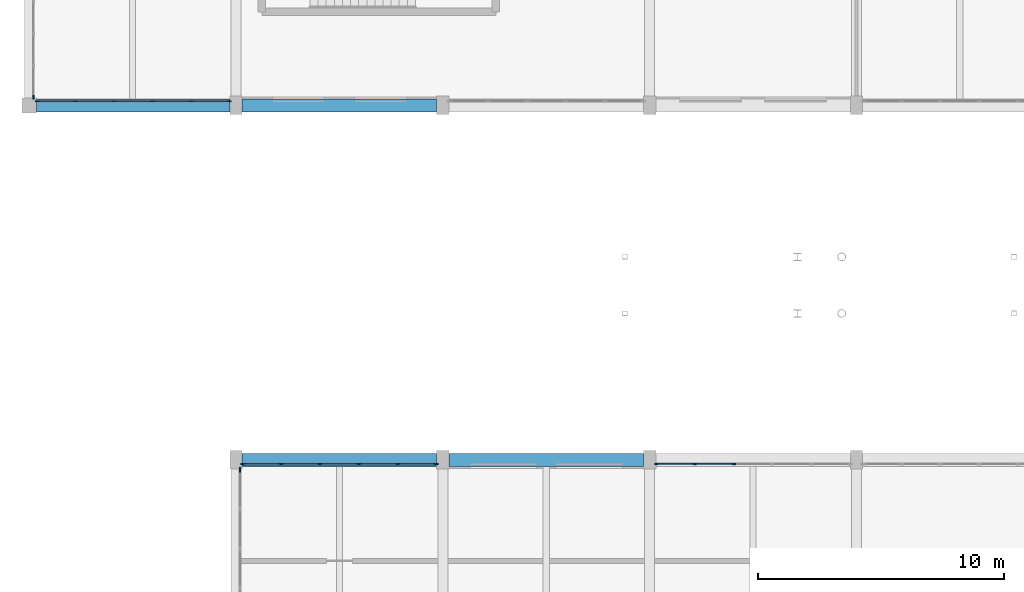
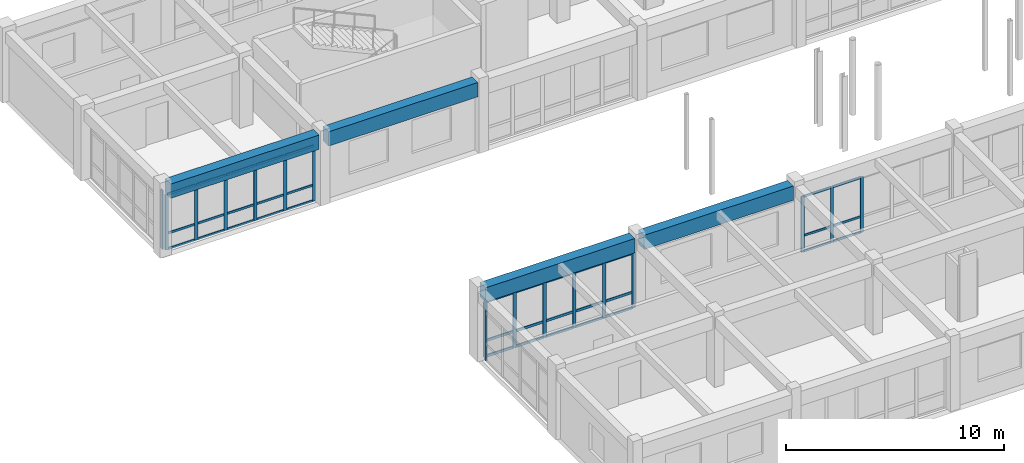
# One storey, part 53 of 147: 53 members, 4 beams, 5 elements without a shape of their own.
"""IFC4 building model written with IfcOpenShell, lengths in metres."""

from ifc_helpers import new_model, si_unit, direction, frame, origin, origin_2d, place, context, subcontext, project, spatial, rectangle, extrude, material, material_profile, profile_set, type_object, element, aggregate, save


model = new_model("IFC4")

# Units and contexts
model_context = context("Model", 3, precision=1e-05, world=origin(), true_north=direction((0.0, 1.0)))
body_context = subcontext(model_context, "Body", "Model", "MODEL_VIEW")
ifc_project = project(units=[si_unit("LENGTHUNIT", "METRE"), si_unit("AREAUNIT", "SQUARE_METRE"), si_unit("VOLUMEUNIT", "CUBIC_METRE"), si_unit("PLANEANGLEUNIT", "RADIAN"), si_unit("MASSUNIT", "GRAM", prefix="KILO")], contexts=[model_context])

# Site, building, storey
site_placement = place(None, origin())
site = spatial("IfcSite", under=ifc_project, at=site_placement, CompositionType="ELEMENT")
building_placement = place(site_placement, origin())
building = spatial("IfcBuilding", under=site, at=building_placement, Name="Malvenik Polytechnic", CompositionType="ELEMENT")
storey_placement = place(building_placement, frame((0.0, 0.0, 5.10009765625)))
storey = spatial("IfcBuildingStorey", under=building, at=storey_placement, Name="L01", CompositionType="ELEMENT", Elevation=5.10009765625)

# Curtain wall, member
ifc_material_1 = material(Name="Anodised aluminium 6060-T6", Category="aluminium")
curtain_wall_type_1 = type_object("IfcCurtainWallType", Name="ARC-CW-CW-05", PredefinedType="NOTDEFINED", material=ifc_material_1)
curtain_wall_1_placement = place(storey_placement, origin())
curtain_wall_1 = element("IfcCurtainWall", 1, at=curtain_wall_1_placement, inside=storey, type_object=curtain_wall_type_1, Name="Unitised Curtain Wall CW-05 L01 #32", PredefinedType="NOTDEFINED")
ifc_material_2 = material(Name="Anodised aluminium", Category="aluminium")
ifc_material_profile_1 = material_profile(ifc_material_2, rectangle(XDim=0.06005859375, YDim=0.159912109375, at=origin_2d()), Name="ALU MULLION 60x160")
ifc_profile_set_1 = profile_set([ifc_material_profile_1], Name="Anodised aluminium")
member_type_1 = type_object("IfcMemberType", Name="ARC-CWM-160", PredefinedType="MULLION", material=ifc_profile_set_1)
member_1_placement = place(storey_placement, frame((0.169921875, 79.528076171875, 0.0), z_axis=(0.0, 0.0, 1.0), x_axis=(-1.0, 0.0, 0.0)))
member_1 = element("IfcMember", 2, at=member_1_placement, type_object=member_type_1, Name="CW-05 mullion 1", PredefinedType="MULLION", context=body_context, shape_type="SweptSolid", body=[
    extrude(rectangle(XDim=0.06005859375, YDim=0.159912109375, at=origin_2d()), origin(), (0.0, 0.0, 1.0), 3.309814453125),
])
aggregate(curtain_wall_1, [member_1])

# Curtain wall, members
curtain_wall_type_2 = type_object("IfcCurtainWallType", Name="ARC-CW-CW-02", PredefinedType="NOTDEFINED", material=ifc_material_1)
curtain_wall_2_placement = place(storey_placement, origin())
curtain_wall_2 = element("IfcCurtainWall", 3, at=curtain_wall_2_placement, inside=storey, type_object=curtain_wall_type_2, Name="Unitised Curtain Wall CW-02 L01 #125", PredefinedType="NOTDEFINED")
member_2_placement = place(storey_placement, frame((25.47802734375, 64.6298828125, 0.0), z_axis=(0.0, 0.0, 1.0), x_axis=(0.0, 1.0, 0.0)))
member_2 = element("IfcMember", 4, at=member_2_placement, type_object=member_type_1, Name="CW-02 mullion 1", PredefinedType="MULLION", context=body_context, shape_type="SweptSolid", body=[
    extrude(rectangle(XDim=0.06005859375, YDim=0.159912109375, at=origin_2d()), origin(), (0.0, 0.0, 1.0), 3.10986328125),
])
member_3_placement = place(storey_placement, frame((27.02880859375, 64.6298828125, 0.0), z_axis=(0.0, 0.0, 1.0), x_axis=(0.0, 1.0, 0.0)))
member_3 = element("IfcMember", 5, at=member_3_placement, type_object=member_type_1, Name="CW-02 mullion 2", PredefinedType="MULLION", context=body_context, shape_type="SweptSolid", body=[
    extrude(rectangle(XDim=0.06005859375, YDim=0.159912109375, at=origin_2d()), origin(), (0.0, 0.0, 1.0), 3.10986328125),
])
member_4_placement = place(storey_placement, frame((28.609619140625, 64.6298828125, 0.0), z_axis=(0.0, 0.0, 1.0), x_axis=(0.0, 1.0, 0.0)))
member_4 = element("IfcMember", 6, at=member_4_placement, type_object=member_type_1, Name="CW-02 mullion 3", PredefinedType="MULLION", context=body_context, shape_type="SweptSolid", body=[
    extrude(rectangle(XDim=0.06005859375, YDim=0.159912109375, at=origin_2d()), origin(), (0.0, 0.0, 1.0), 3.10986328125),
])

curtain_wall_3_placement = place(storey_placement, origin())
curtain_wall_3 = element("IfcCurtainWall", 7, at=curtain_wall_3_placement, inside=storey, type_object=curtain_wall_type_2, Name="Unitised Curtain Wall CW-02 L01 #31", PredefinedType="NOTDEFINED")
ifc_material_profile_2 = material_profile(ifc_material_2, rectangle(XDim=0.06005859375, YDim=0.179931640625, at=origin_2d()), Name="ALU MULLION 60x180")
ifc_profile_set_2 = profile_set([ifc_material_profile_2], Name="Anodised aluminium")
member_type_2 = type_object("IfcMemberType", Name="ARC-CWM-180", PredefinedType="MULLION", material=ifc_profile_set_2)
member_5_placement = place(storey_placement, frame((8.1220703125, 79.3701171875, 0.0), z_axis=(0.0, 0.0, 1.0), x_axis=(0.0, -1.0, 0.0)))
member_5 = element("IfcMember", 8, at=member_5_placement, type_object=member_type_2, Name="CW-02 mullion 1", PredefinedType="MULLION", context=body_context, shape_type="SweptSolid", body=[
    extrude(rectangle(XDim=0.06005859375, YDim=0.179931640625, at=origin_2d()), origin(), (0.0, 0.0, 1.0), 3.10986328125),
])
member_6_placement = place(storey_placement, frame((6.581298828125, 79.3701171875, 0.0), z_axis=(0.0, 0.0, 1.0), x_axis=(0.0, -1.0, 0.0)))
member_6 = element("IfcMember", 9, at=member_6_placement, type_object=member_type_2, Name="CW-02 mullion 2", PredefinedType="MULLION", context=body_context, shape_type="SweptSolid", body=[
    extrude(rectangle(XDim=0.06005859375, YDim=0.179931640625, at=origin_2d()), origin(), (0.0, 0.0, 1.0), 3.10986328125),
])
member_7_placement = place(storey_placement, frame((5.010498046875, 79.3701171875, 0.0), z_axis=(0.0, 0.0, 1.0), x_axis=(0.0, -1.0, 0.0)))
member_7 = element("IfcMember", 10, at=member_7_placement, type_object=member_type_2, Name="CW-02 mullion 3", PredefinedType="MULLION", context=body_context, shape_type="SweptSolid", body=[
    extrude(rectangle(XDim=0.06005859375, YDim=0.179931640625, at=origin_2d()), origin(), (0.0, 0.0, 1.0), 3.10986328125),
])
member_8_placement = place(storey_placement, frame((3.439697265625, 79.3701171875, 0.0), z_axis=(0.0, 0.0, 1.0), x_axis=(0.0, -1.0, 0.0)))
member_8 = element("IfcMember", 11, at=member_8_placement, type_object=member_type_2, Name="CW-02 mullion 4", PredefinedType="MULLION", context=body_context, shape_type="SweptSolid", body=[
    extrude(rectangle(XDim=0.06005859375, YDim=0.179931640625, at=origin_2d()), origin(), (0.0, 0.0, 1.0), 3.10986328125),
])
member_9_placement = place(storey_placement, frame((1.868896484375, 79.3701171875, 0.0), z_axis=(0.0, 0.0, 1.0), x_axis=(0.0, -1.0, 0.0)))
member_9 = element("IfcMember", 12, at=member_9_placement, type_object=member_type_2, Name="CW-02 mullion 5", PredefinedType="MULLION", context=body_context, shape_type="SweptSolid", body=[
    extrude(rectangle(XDim=0.06005859375, YDim=0.179931640625, at=origin_2d()), origin(), (0.0, 0.0, 1.0), 3.10986328125),
])
member_10_placement = place(storey_placement, frame((0.327880859375, 79.3701171875, 0.0), z_axis=(0.0, 0.0, 1.0), x_axis=(0.0, -1.0, 0.0)))
member_10 = element("IfcMember", 13, at=member_10_placement, type_object=member_type_2, Name="CW-02 mullion 6", PredefinedType="MULLION", context=body_context, shape_type="SweptSolid", body=[
    extrude(rectangle(XDim=0.06005859375, YDim=0.179931640625, at=origin_2d()), origin(), (0.0, 0.0, 1.0), 3.10986328125),
])

curtain_wall_4_placement = place(storey_placement, origin())
curtain_wall_4 = element("IfcCurtainWall", 14, at=curtain_wall_4_placement, inside=storey, type_object=curtain_wall_type_2, Name="Unitised Curtain Wall CW-02 L01 #124", PredefinedType="NOTDEFINED")
member_11_placement = place(storey_placement, frame((8.677978515625, 64.6298828125, 0.0), z_axis=(0.0, 0.0, 1.0), x_axis=(0.0, 1.0, 0.0)))
member_11 = element("IfcMember", 15, at=member_11_placement, type_object=member_type_2, Name="CW-02 mullion 1", PredefinedType="MULLION", context=body_context, shape_type="SweptSolid", body=[
    extrude(rectangle(XDim=0.06005859375, YDim=0.179931640625, at=origin_2d()), origin(), (0.0, 0.0, 1.0), 3.10986328125),
])
member_12_placement = place(storey_placement, frame((10.228759765625, 64.6298828125, 0.0), z_axis=(0.0, 0.0, 1.0), x_axis=(0.0, 1.0, 0.0)))
member_12 = element("IfcMember", 16, at=member_12_placement, type_object=member_type_2, Name="CW-02 mullion 2", PredefinedType="MULLION", context=body_context, shape_type="SweptSolid", body=[
    extrude(rectangle(XDim=0.06005859375, YDim=0.179931640625, at=origin_2d()), origin(), (0.0, 0.0, 1.0), 3.10986328125),
])
member_13_placement = place(storey_placement, frame((11.8095703125, 64.6298828125, 0.0), z_axis=(0.0, 0.0, 1.0), x_axis=(0.0, 1.0, 0.0)))
member_13 = element("IfcMember", 17, at=member_13_placement, type_object=member_type_2, Name="CW-02 mullion 3", PredefinedType="MULLION", context=body_context, shape_type="SweptSolid", body=[
    extrude(rectangle(XDim=0.06005859375, YDim=0.179931640625, at=origin_2d()), origin(), (0.0, 0.0, 1.0), 3.10986328125),
])
member_14_placement = place(storey_placement, frame((13.390380859375, 64.6298828125, 0.0), z_axis=(0.0, 0.0, 1.0), x_axis=(0.0, 1.0, 0.0)))
member_14 = element("IfcMember", 18, at=member_14_placement, type_object=member_type_2, Name="CW-02 mullion 4", PredefinedType="MULLION", context=body_context, shape_type="SweptSolid", body=[
    extrude(rectangle(XDim=0.06005859375, YDim=0.179931640625, at=origin_2d()), origin(), (0.0, 0.0, 1.0), 3.10986328125),
])
member_15_placement = place(storey_placement, frame((14.97119140625, 64.6298828125, 0.0), z_axis=(0.0, 0.0, 1.0), x_axis=(0.0, 1.0, 0.0)))
member_15 = element("IfcMember", 19, at=member_15_placement, type_object=member_type_2, Name="CW-02 mullion 5", PredefinedType="MULLION", context=body_context, shape_type="SweptSolid", body=[
    extrude(rectangle(XDim=0.06005859375, YDim=0.179931640625, at=origin_2d()), origin(), (0.0, 0.0, 1.0), 3.10986328125),
])
member_16_placement = place(storey_placement, frame((16.52197265625, 64.6298828125, 0.0), z_axis=(0.0, 0.0, 1.0), x_axis=(0.0, 1.0, 0.0)))
member_16 = element("IfcMember", 20, at=member_16_placement, type_object=member_type_2, Name="CW-02 mullion 6", PredefinedType="MULLION", context=body_context, shape_type="SweptSolid", body=[
    extrude(rectangle(XDim=0.06005859375, YDim=0.179931640625, at=origin_2d()), origin(), (0.0, 0.0, 1.0), 3.10986328125),
])

# Curtain wall, member
curtain_wall_5_placement = place(storey_placement, origin())
curtain_wall_5 = element("IfcCurtainWall", 21, at=curtain_wall_5_placement, inside=storey, type_object=curtain_wall_type_1, Name="Unitised Curtain Wall CW-05 L01 #123", PredefinedType="NOTDEFINED")
ifc_material_profile_3 = material_profile(ifc_material_2, rectangle(XDim=0.06005859375, YDim=0.199951171875, at=origin_2d()), Name="ALU MULLION 60x200")
ifc_profile_set_3 = profile_set([ifc_material_profile_3], Name="Anodised aluminium")
member_type_3 = type_object("IfcMemberType", Name="ARC-CWM-200", PredefinedType="MULLION", material=ifc_profile_set_3)
member_17_placement = place(storey_placement, frame((8.570068359375, 64.39697265625, 0.0), z_axis=(0.0, 0.0, 1.0), x_axis=(-1.0, 0.0, 0.0)))
member_17 = element("IfcMember", 22, at=member_17_placement, type_object=member_type_3, Name="CW-05 mullion 5", PredefinedType="MULLION", context=body_context, shape_type="SweptSolid", body=[
    extrude(rectangle(XDim=0.06005859375, YDim=0.199951171875, at=origin_2d()), origin(), (0.0, 0.0, 1.0), 3.309814453125),
])
aggregate(curtain_wall_5, [member_17])

# Member
ifc_material_profile_4 = material_profile(ifc_material_2, rectangle(XDim=0.06005859375, YDim=0.1201171875, at=origin_2d()), Name="ALU TRANSOM 60x120")
ifc_profile_set_4 = profile_set([ifc_material_profile_4], Name="Anodised aluminium")
member_type_4 = type_object("IfcMemberType", Name="ARC-CWT-120", PredefinedType="USERDEFINED", material=ifc_profile_set_4)
member_18_placement = place(storey_placement, frame((8.092041015625, 79.3701171875, 0.02978515625), z_axis=(-1.0, 0.0, 0.0), x_axis=(0.0, -1.0, 0.0)))
member_18 = element("IfcMember", 23, at=member_18_placement, type_object=member_type_4, Name="CW-02 transom 1.1", ObjectType="TRANSOM", PredefinedType="USERDEFINED", context=body_context, shape_type="SweptSolid", body=[
    extrude(rectangle(XDim=0.06005859375, YDim=0.1201171875, at=origin_2d()), origin(), (0.0, 0.0, 1.0), 1.48095703125),
])

member_19_placement = place(storey_placement, frame((8.092041015625, 79.3701171875, 0.89990234375), z_axis=(-1.0, 0.0, 0.0), x_axis=(0.0, -1.0, 0.0)))
member_19 = element("IfcMember", 24, at=member_19_placement, type_object=member_type_4, Name="CW-02 transom 1.2", ObjectType="TRANSOM", PredefinedType="USERDEFINED", context=body_context, shape_type="SweptSolid", body=[
    extrude(rectangle(XDim=0.06005859375, YDim=0.1201171875, at=origin_2d()), origin(), (0.0, 0.0, 1.0), 1.48095703125),
])

member_20_placement = place(storey_placement, frame((8.092041015625, 79.3701171875, 3.079833984375), z_axis=(-1.0, 0.0, 0.0), x_axis=(0.0, -1.0, 0.0)))
member_20 = element("IfcMember", 25, at=member_20_placement, type_object=member_type_4, Name="CW-02 transom 1.3", ObjectType="TRANSOM", PredefinedType="USERDEFINED", context=body_context, shape_type="SweptSolid", body=[
    extrude(rectangle(XDim=0.06005859375, YDim=0.1201171875, at=origin_2d()), origin(), (0.0, 0.0, 1.0), 1.48095703125),
])

member_21_placement = place(storey_placement, frame((6.55126953125, 79.3701171875, 0.02978515625), z_axis=(-1.0, 0.0, 0.0), x_axis=(0.0, -1.0, 0.0)))
member_21 = element("IfcMember", 26, at=member_21_placement, type_object=member_type_4, Name="CW-02 transom 2.1", ObjectType="TRANSOM", PredefinedType="USERDEFINED", context=body_context, shape_type="SweptSolid", body=[
    extrude(rectangle(XDim=0.06005859375, YDim=0.1201171875, at=origin_2d()), origin(), (0.0, 0.0, 1.0), 1.510986328125),
])

member_22_placement = place(storey_placement, frame((6.55126953125, 79.3701171875, 0.89990234375), z_axis=(-1.0, 0.0, 0.0), x_axis=(0.0, -1.0, 0.0)))
member_22 = element("IfcMember", 27, at=member_22_placement, type_object=member_type_4, Name="CW-02 transom 2.2", ObjectType="TRANSOM", PredefinedType="USERDEFINED", context=body_context, shape_type="SweptSolid", body=[
    extrude(rectangle(XDim=0.06005859375, YDim=0.1201171875, at=origin_2d()), origin(), (0.0, 0.0, 1.0), 1.510986328125),
])

member_23_placement = place(storey_placement, frame((6.55126953125, 79.3701171875, 3.079833984375), z_axis=(-1.0, 0.0, 0.0), x_axis=(0.0, -1.0, 0.0)))
member_23 = element("IfcMember", 28, at=member_23_placement, type_object=member_type_4, Name="CW-02 transom 2.3", ObjectType="TRANSOM", PredefinedType="USERDEFINED", context=body_context, shape_type="SweptSolid", body=[
    extrude(rectangle(XDim=0.06005859375, YDim=0.1201171875, at=origin_2d()), origin(), (0.0, 0.0, 1.0), 1.510986328125),
])

member_24_placement = place(storey_placement, frame((4.98046875, 79.3701171875, 0.02978515625), z_axis=(-1.0, 0.0, 0.0), x_axis=(0.0, -1.0, 0.0)))
member_24 = element("IfcMember", 29, at=member_24_placement, type_object=member_type_4, Name="CW-02 transom 3.1", ObjectType="TRANSOM", PredefinedType="USERDEFINED", context=body_context, shape_type="SweptSolid", body=[
    extrude(rectangle(XDim=0.06005859375, YDim=0.1201171875, at=origin_2d()), origin(), (0.0, 0.0, 1.0), 1.510986328125),
])

member_25_placement = place(storey_placement, frame((4.98046875, 79.3701171875, 0.89990234375), z_axis=(-1.0, 0.0, 0.0), x_axis=(0.0, -1.0, 0.0)))
member_25 = element("IfcMember", 30, at=member_25_placement, type_object=member_type_4, Name="CW-02 transom 3.2", ObjectType="TRANSOM", PredefinedType="USERDEFINED", context=body_context, shape_type="SweptSolid", body=[
    extrude(rectangle(XDim=0.06005859375, YDim=0.1201171875, at=origin_2d()), origin(), (0.0, 0.0, 1.0), 1.510986328125),
])

member_26_placement = place(storey_placement, frame((4.98046875, 79.3701171875, 3.079833984375), z_axis=(-1.0, 0.0, 0.0), x_axis=(0.0, -1.0, 0.0)))
member_26 = element("IfcMember", 31, at=member_26_placement, type_object=member_type_4, Name="CW-02 transom 3.3", ObjectType="TRANSOM", PredefinedType="USERDEFINED", context=body_context, shape_type="SweptSolid", body=[
    extrude(rectangle(XDim=0.06005859375, YDim=0.1201171875, at=origin_2d()), origin(), (0.0, 0.0, 1.0), 1.510986328125),
])

member_27_placement = place(storey_placement, frame((3.40966796875, 79.3701171875, 0.02978515625), z_axis=(-1.0, 0.0, 0.0), x_axis=(0.0, -1.0, 0.0)))
member_27 = element("IfcMember", 32, at=member_27_placement, type_object=member_type_4, Name="CW-02 transom 4.1", ObjectType="TRANSOM", PredefinedType="USERDEFINED", context=body_context, shape_type="SweptSolid", body=[
    extrude(rectangle(XDim=0.06005859375, YDim=0.1201171875, at=origin_2d()), origin(), (0.0, 0.0, 1.0), 1.510986328125),
])

member_28_placement = place(storey_placement, frame((3.40966796875, 79.3701171875, 0.89990234375), z_axis=(-1.0, 0.0, 0.0), x_axis=(0.0, -1.0, 0.0)))
member_28 = element("IfcMember", 33, at=member_28_placement, type_object=member_type_4, Name="CW-02 transom 4.2", ObjectType="TRANSOM", PredefinedType="USERDEFINED", context=body_context, shape_type="SweptSolid", body=[
    extrude(rectangle(XDim=0.06005859375, YDim=0.1201171875, at=origin_2d()), origin(), (0.0, 0.0, 1.0), 1.510986328125),
])

member_29_placement = place(storey_placement, frame((3.40966796875, 79.3701171875, 3.079833984375), z_axis=(-1.0, 0.0, 0.0), x_axis=(0.0, -1.0, 0.0)))
member_29 = element("IfcMember", 34, at=member_29_placement, type_object=member_type_4, Name="CW-02 transom 4.3", ObjectType="TRANSOM", PredefinedType="USERDEFINED", context=body_context, shape_type="SweptSolid", body=[
    extrude(rectangle(XDim=0.06005859375, YDim=0.1201171875, at=origin_2d()), origin(), (0.0, 0.0, 1.0), 1.510986328125),
])

member_30_placement = place(storey_placement, frame((1.8388671875, 79.3701171875, 0.02978515625), z_axis=(-1.0, 0.0, 0.0), x_axis=(0.0, -1.0, 0.0)))
member_30 = element("IfcMember", 35, at=member_30_placement, type_object=member_type_4, Name="CW-02 transom 5.1", ObjectType="TRANSOM", PredefinedType="USERDEFINED", context=body_context, shape_type="SweptSolid", body=[
    extrude(rectangle(XDim=0.06005859375, YDim=0.1201171875, at=origin_2d()), origin(), (0.0, 0.0, 1.0), 1.48095703125),
])

member_31_placement = place(storey_placement, frame((1.8388671875, 79.3701171875, 0.89990234375), z_axis=(-1.0, 0.0, 0.0), x_axis=(0.0, -1.0, 0.0)))
member_31 = element("IfcMember", 36, at=member_31_placement, type_object=member_type_4, Name="CW-02 transom 5.2", ObjectType="TRANSOM", PredefinedType="USERDEFINED", context=body_context, shape_type="SweptSolid", body=[
    extrude(rectangle(XDim=0.06005859375, YDim=0.1201171875, at=origin_2d()), origin(), (0.0, 0.0, 1.0), 1.48095703125),
])

member_32_placement = place(storey_placement, frame((1.8388671875, 79.3701171875, 3.079833984375), z_axis=(-1.0, 0.0, 0.0), x_axis=(0.0, -1.0, 0.0)))
member_32 = element("IfcMember", 37, at=member_32_placement, type_object=member_type_4, Name="CW-02 transom 5.3", ObjectType="TRANSOM", PredefinedType="USERDEFINED", context=body_context, shape_type="SweptSolid", body=[
    extrude(rectangle(XDim=0.06005859375, YDim=0.1201171875, at=origin_2d()), origin(), (0.0, 0.0, 1.0), 1.48095703125),
])

aggregate(curtain_wall_3, [member_5, member_6, member_7, member_8, member_9, member_10, member_18, member_19, member_20, member_21, member_22, member_23, member_24, member_25, member_26, member_27, member_28, member_29, member_30, member_31, member_32])

member_33_placement = place(storey_placement, frame((25.508056640625, 64.6298828125, 0.02978515625), z_axis=(1.0, 0.0, 0.0), x_axis=(0.0, 1.0, 0.0)))
member_33 = element("IfcMember", 38, at=member_33_placement, type_object=member_type_4, Name="CW-02 transom 1.1", ObjectType="TRANSOM", PredefinedType="USERDEFINED", context=body_context, shape_type="SweptSolid", body=[
    extrude(rectangle(XDim=0.06005859375, YDim=0.1201171875, at=origin_2d()), origin(), (0.0, 0.0, 1.0), 1.49072265625),
])

member_34_placement = place(storey_placement, frame((25.508056640625, 64.6298828125, 0.89990234375), z_axis=(1.0, 0.0, 0.0), x_axis=(0.0, 1.0, 0.0)))
member_34 = element("IfcMember", 39, at=member_34_placement, type_object=member_type_4, Name="CW-02 transom 1.2", ObjectType="TRANSOM", PredefinedType="USERDEFINED", context=body_context, shape_type="SweptSolid", body=[
    extrude(rectangle(XDim=0.06005859375, YDim=0.1201171875, at=origin_2d()), origin(), (0.0, 0.0, 1.0), 1.49072265625),
])

member_35_placement = place(storey_placement, frame((25.508056640625, 64.6298828125, 3.079833984375), z_axis=(1.0, 0.0, 0.0), x_axis=(0.0, 1.0, 0.0)))
member_35 = element("IfcMember", 40, at=member_35_placement, type_object=member_type_4, Name="CW-02 transom 1.3", ObjectType="TRANSOM", PredefinedType="USERDEFINED", context=body_context, shape_type="SweptSolid", body=[
    extrude(rectangle(XDim=0.06005859375, YDim=0.1201171875, at=origin_2d()), origin(), (0.0, 0.0, 1.0), 1.49072265625),
])

member_36_placement = place(storey_placement, frame((27.058837890625, 64.6298828125, 0.02978515625), z_axis=(1.0, 0.0, 0.0), x_axis=(0.0, 1.0, 0.0)))
member_36 = element("IfcMember", 41, at=member_36_placement, type_object=member_type_4, Name="CW-02 transom 2.1", ObjectType="TRANSOM", PredefinedType="USERDEFINED", context=body_context, shape_type="SweptSolid", body=[
    extrude(rectangle(XDim=0.06005859375, YDim=0.1201171875, at=origin_2d()), origin(), (0.0, 0.0, 1.0), 1.520751953125),
])

member_37_placement = place(storey_placement, frame((27.058837890625, 64.6298828125, 0.89990234375), z_axis=(1.0, 0.0, 0.0), x_axis=(0.0, 1.0, 0.0)))
member_37 = element("IfcMember", 42, at=member_37_placement, type_object=member_type_4, Name="CW-02 transom 2.2", ObjectType="TRANSOM", PredefinedType="USERDEFINED", context=body_context, shape_type="SweptSolid", body=[
    extrude(rectangle(XDim=0.06005859375, YDim=0.1201171875, at=origin_2d()), origin(), (0.0, 0.0, 1.0), 1.520751953125),
])

member_38_placement = place(storey_placement, frame((27.058837890625, 64.6298828125, 3.079833984375), z_axis=(1.0, 0.0, 0.0), x_axis=(0.0, 1.0, 0.0)))
member_38 = element("IfcMember", 43, at=member_38_placement, type_object=member_type_4, Name="CW-02 transom 2.3", ObjectType="TRANSOM", PredefinedType="USERDEFINED", context=body_context, shape_type="SweptSolid", body=[
    extrude(rectangle(XDim=0.06005859375, YDim=0.1201171875, at=origin_2d()), origin(), (0.0, 0.0, 1.0), 1.520751953125),
])

aggregate(curtain_wall_2, [member_2, member_3, member_4, member_33, member_34, member_35, member_36, member_37, member_38])

ifc_material_profile_5 = material_profile(ifc_material_2, rectangle(XDim=0.06005859375, YDim=0.139892578125, at=origin_2d()), Name="ALU TRANSOM 60x140")
ifc_profile_set_5 = profile_set([ifc_material_profile_5], Name="Anodised aluminium")
member_type_5 = type_object("IfcMemberType", Name="ARC-CWT-140", PredefinedType="USERDEFINED", material=ifc_profile_set_5)
member_39_placement = place(storey_placement, frame((8.7080078125, 64.6298828125, 0.02978515625), z_axis=(1.0, 0.0, 0.0), x_axis=(0.0, 1.0, 0.0)))
member_39 = element("IfcMember", 44, at=member_39_placement, type_object=member_type_5, Name="CW-02 transom 1.1", ObjectType="TRANSOM", PredefinedType="USERDEFINED", context=body_context, shape_type="SweptSolid", body=[
    extrude(rectangle(XDim=0.06005859375, YDim=0.139892578125, at=origin_2d()), origin(), (0.0, 0.0, 1.0), 1.49072265625),
])

member_40_placement = place(storey_placement, frame((8.7080078125, 64.6298828125, 0.89990234375), z_axis=(1.0, 0.0, 0.0), x_axis=(0.0, 1.0, 0.0)))
member_40 = element("IfcMember", 45, at=member_40_placement, type_object=member_type_5, Name="CW-02 transom 1.2", ObjectType="TRANSOM", PredefinedType="USERDEFINED", context=body_context, shape_type="SweptSolid", body=[
    extrude(rectangle(XDim=0.06005859375, YDim=0.139892578125, at=origin_2d()), origin(), (0.0, 0.0, 1.0), 1.49072265625),
])

member_41_placement = place(storey_placement, frame((8.7080078125, 64.6298828125, 3.079833984375), z_axis=(1.0, 0.0, 0.0), x_axis=(0.0, 1.0, 0.0)))
member_41 = element("IfcMember", 46, at=member_41_placement, type_object=member_type_5, Name="CW-02 transom 1.3", ObjectType="TRANSOM", PredefinedType="USERDEFINED", context=body_context, shape_type="SweptSolid", body=[
    extrude(rectangle(XDim=0.06005859375, YDim=0.139892578125, at=origin_2d()), origin(), (0.0, 0.0, 1.0), 1.49072265625),
])

member_42_placement = place(storey_placement, frame((10.2587890625, 64.6298828125, 0.02978515625), z_axis=(1.0, 0.0, 0.0), x_axis=(0.0, 1.0, 0.0)))
member_42 = element("IfcMember", 47, at=member_42_placement, type_object=member_type_5, Name="CW-02 transom 2.1", ObjectType="TRANSOM", PredefinedType="USERDEFINED", context=body_context, shape_type="SweptSolid", body=[
    extrude(rectangle(XDim=0.06005859375, YDim=0.139892578125, at=origin_2d()), origin(), (0.0, 0.0, 1.0), 1.520751953125),
])

member_43_placement = place(storey_placement, frame((10.2587890625, 64.6298828125, 0.89990234375), z_axis=(1.0, 0.0, 0.0), x_axis=(0.0, 1.0, 0.0)))
member_43 = element("IfcMember", 48, at=member_43_placement, type_object=member_type_5, Name="CW-02 transom 2.2", ObjectType="TRANSOM", PredefinedType="USERDEFINED", context=body_context, shape_type="SweptSolid", body=[
    extrude(rectangle(XDim=0.06005859375, YDim=0.139892578125, at=origin_2d()), origin(), (0.0, 0.0, 1.0), 1.520751953125),
])

member_44_placement = place(storey_placement, frame((10.2587890625, 64.6298828125, 3.079833984375), z_axis=(1.0, 0.0, 0.0), x_axis=(0.0, 1.0, 0.0)))
member_44 = element("IfcMember", 49, at=member_44_placement, type_object=member_type_5, Name="CW-02 transom 2.3", ObjectType="TRANSOM", PredefinedType="USERDEFINED", context=body_context, shape_type="SweptSolid", body=[
    extrude(rectangle(XDim=0.06005859375, YDim=0.139892578125, at=origin_2d()), origin(), (0.0, 0.0, 1.0), 1.520751953125),
])

member_45_placement = place(storey_placement, frame((11.839599609375, 64.6298828125, 0.02978515625), z_axis=(1.0, 0.0, 0.0), x_axis=(0.0, 1.0, 0.0)))
member_45 = element("IfcMember", 50, at=member_45_placement, type_object=member_type_5, Name="CW-02 transom 3.1", ObjectType="TRANSOM", PredefinedType="USERDEFINED", context=body_context, shape_type="SweptSolid", body=[
    extrude(rectangle(XDim=0.06005859375, YDim=0.139892578125, at=origin_2d()), origin(), (0.0, 0.0, 1.0), 1.520751953125),
])

member_46_placement = place(storey_placement, frame((11.839599609375, 64.6298828125, 0.89990234375), z_axis=(1.0, 0.0, 0.0), x_axis=(0.0, 1.0, 0.0)))
member_46 = element("IfcMember", 51, at=member_46_placement, type_object=member_type_5, Name="CW-02 transom 3.2", ObjectType="TRANSOM", PredefinedType="USERDEFINED", context=body_context, shape_type="SweptSolid", body=[
    extrude(rectangle(XDim=0.06005859375, YDim=0.139892578125, at=origin_2d()), origin(), (0.0, 0.0, 1.0), 1.520751953125),
])

member_47_placement = place(storey_placement, frame((11.839599609375, 64.6298828125, 3.079833984375), z_axis=(1.0, 0.0, 0.0), x_axis=(0.0, 1.0, 0.0)))
member_47 = element("IfcMember", 52, at=member_47_placement, type_object=member_type_5, Name="CW-02 transom 3.3", ObjectType="TRANSOM", PredefinedType="USERDEFINED", context=body_context, shape_type="SweptSolid", body=[
    extrude(rectangle(XDim=0.06005859375, YDim=0.139892578125, at=origin_2d()), origin(), (0.0, 0.0, 1.0), 1.520751953125),
])

member_48_placement = place(storey_placement, frame((13.42041015625, 64.6298828125, 0.02978515625), z_axis=(1.0, 0.0, 0.0), x_axis=(0.0, 1.0, 0.0)))
member_48 = element("IfcMember", 53, at=member_48_placement, type_object=member_type_5, Name="CW-02 transom 4.1", ObjectType="TRANSOM", PredefinedType="USERDEFINED", context=body_context, shape_type="SweptSolid", body=[
    extrude(rectangle(XDim=0.06005859375, YDim=0.139892578125, at=origin_2d()), origin(), (0.0, 0.0, 1.0), 1.520751953125),
])

member_49_placement = place(storey_placement, frame((13.42041015625, 64.6298828125, 0.89990234375), z_axis=(1.0, 0.0, 0.0), x_axis=(0.0, 1.0, 0.0)))
member_49 = element("IfcMember", 54, at=member_49_placement, type_object=member_type_5, Name="CW-02 transom 4.2", ObjectType="TRANSOM", PredefinedType="USERDEFINED", context=body_context, shape_type="SweptSolid", body=[
    extrude(rectangle(XDim=0.06005859375, YDim=0.139892578125, at=origin_2d()), origin(), (0.0, 0.0, 1.0), 1.520751953125),
])

member_50_placement = place(storey_placement, frame((13.42041015625, 64.6298828125, 3.079833984375), z_axis=(1.0, 0.0, 0.0), x_axis=(0.0, 1.0, 0.0)))
member_50 = element("IfcMember", 55, at=member_50_placement, type_object=member_type_5, Name="CW-02 transom 4.3", ObjectType="TRANSOM", PredefinedType="USERDEFINED", context=body_context, shape_type="SweptSolid", body=[
    extrude(rectangle(XDim=0.06005859375, YDim=0.139892578125, at=origin_2d()), origin(), (0.0, 0.0, 1.0), 1.520751953125),
])

member_51_placement = place(storey_placement, frame((15.001220703125, 64.6298828125, 0.02978515625), z_axis=(1.0, 0.0, 0.0), x_axis=(0.0, 1.0, 0.0)))
member_51 = element("IfcMember", 56, at=member_51_placement, type_object=member_type_5, Name="CW-02 transom 5.1", ObjectType="TRANSOM", PredefinedType="USERDEFINED", context=body_context, shape_type="SweptSolid", body=[
    extrude(rectangle(XDim=0.06005859375, YDim=0.139892578125, at=origin_2d()), origin(), (0.0, 0.0, 1.0), 1.49072265625),
])

member_52_placement = place(storey_placement, frame((15.001220703125, 64.6298828125, 0.89990234375), z_axis=(1.0, 0.0, 0.0), x_axis=(0.0, 1.0, 0.0)))
member_52 = element("IfcMember", 57, at=member_52_placement, type_object=member_type_5, Name="CW-02 transom 5.2", ObjectType="TRANSOM", PredefinedType="USERDEFINED", context=body_context, shape_type="SweptSolid", body=[
    extrude(rectangle(XDim=0.06005859375, YDim=0.139892578125, at=origin_2d()), origin(), (0.0, 0.0, 1.0), 1.49072265625),
])

member_53_placement = place(storey_placement, frame((15.001220703125, 64.6298828125, 3.079833984375), z_axis=(1.0, 0.0, 0.0), x_axis=(0.0, 1.0, 0.0)))
member_53 = element("IfcMember", 58, at=member_53_placement, type_object=member_type_5, Name="CW-02 transom 5.3", ObjectType="TRANSOM", PredefinedType="USERDEFINED", context=body_context, shape_type="SweptSolid", body=[
    extrude(rectangle(XDim=0.06005859375, YDim=0.139892578125, at=origin_2d()), origin(), (0.0, 0.0, 1.0), 1.49072265625),
])

aggregate(curtain_wall_4, [member_11, member_12, member_13, member_14, member_15, member_16, member_39, member_40, member_41, member_42, member_43, member_44, member_45, member_46, member_47, member_48, member_49, member_50, member_51, member_52, member_53])

# Beams
ifc_material_3 = material(Name="Precast concrete C40/50", Category="concrete")
ifc_material_profile_6 = material_profile(ifc_material_3, rectangle(XDim=0.52001953125, YDim=0.800048828125, at=origin_2d()), Name="PC SPN 520x800")
ifc_profile_set_6 = profile_set([ifc_material_profile_6], Name="Precast concrete C40/50")
beam_type = type_object("IfcBeamType", Name="STR-BM-SP-01", PredefinedType="SPANDREL", material=ifc_profile_set_6)
beam_1_placement = place(storey_placement, frame((8.64794921875, 64.800048828125, 3.52001953125), z_axis=(1.0, 0.0, 0.0), x_axis=(0.0, 1.0, 0.0)))
element("IfcBeam", 59, at=beam_1_placement, inside=storey, type_object=beam_type, Name="Primary Beam SP-01 L01 #1026", PredefinedType="SPANDREL", context=body_context, shape_type="SweptSolid", body=[
    extrude(rectangle(XDim=0.52001953125, YDim=0.800048828125, at=origin_2d()), origin(), (0.0, 0.0, 1.0), 7.904052734375),
])
beam_2_placement = place(storey_placement, frame((17.048095703125, 64.800048828125, 3.52001953125), z_axis=(1.0, 0.0, 0.0), x_axis=(0.0, 1.0, 0.0)))
element("IfcBeam", 60, at=beam_2_placement, inside=storey, type_object=beam_type, Name="Primary Beam SP-01 L01 #1027", PredefinedType="SPANDREL", context=body_context, shape_type="SweptSolid", body=[
    extrude(rectangle(XDim=0.52001953125, YDim=0.800048828125, at=origin_2d()), origin(), (0.0, 0.0, 1.0), 7.90380859375),
])
beam_3_placement = place(storey_placement, frame((0.298095703125, 79.199951171875, 3.52001953125), z_axis=(1.0, 0.0, 0.0), x_axis=(0.0, 1.0, 0.0)))
element("IfcBeam", 61, at=beam_3_placement, inside=storey, type_object=beam_type, Name="Primary Beam SP-01 L01 #1041", PredefinedType="SPANDREL", context=body_context, shape_type="SweptSolid", body=[
    extrude(rectangle(XDim=0.52001953125, YDim=0.800048828125, at=origin_2d()), origin(), (0.0, 0.0, 1.0), 7.85400390625),
])
beam_4_placement = place(storey_placement, frame((8.64794921875, 79.199951171875, 3.52001953125), z_axis=(1.0, 0.0, 0.0), x_axis=(0.0, 1.0, 0.0)))
element("IfcBeam", 62, at=beam_4_placement, inside=storey, type_object=beam_type, Name="Primary Beam SP-01 L01 #1042", PredefinedType="SPANDREL", context=body_context, shape_type="SweptSolid", body=[
    extrude(rectangle(XDim=0.52001953125, YDim=0.800048828125, at=origin_2d()), origin(), (0.0, 0.0, 1.0), 7.904052734375),
])

save(model, "model.ifc")
